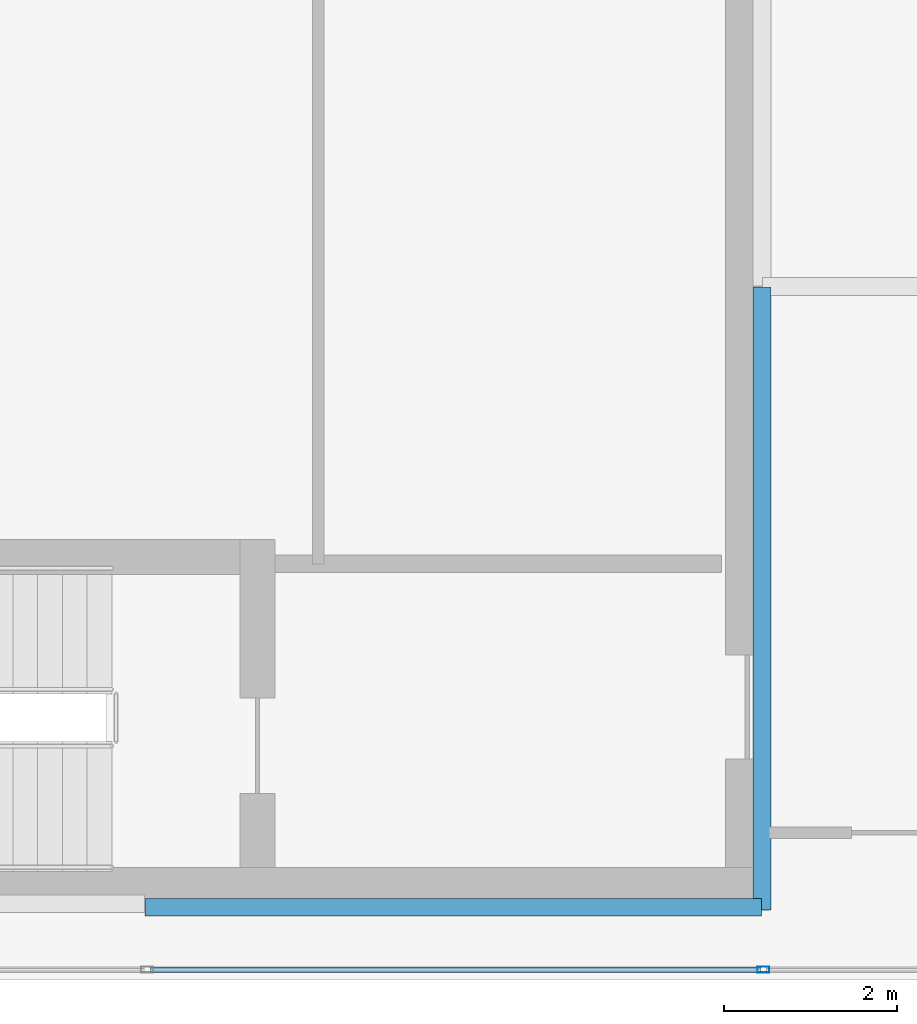
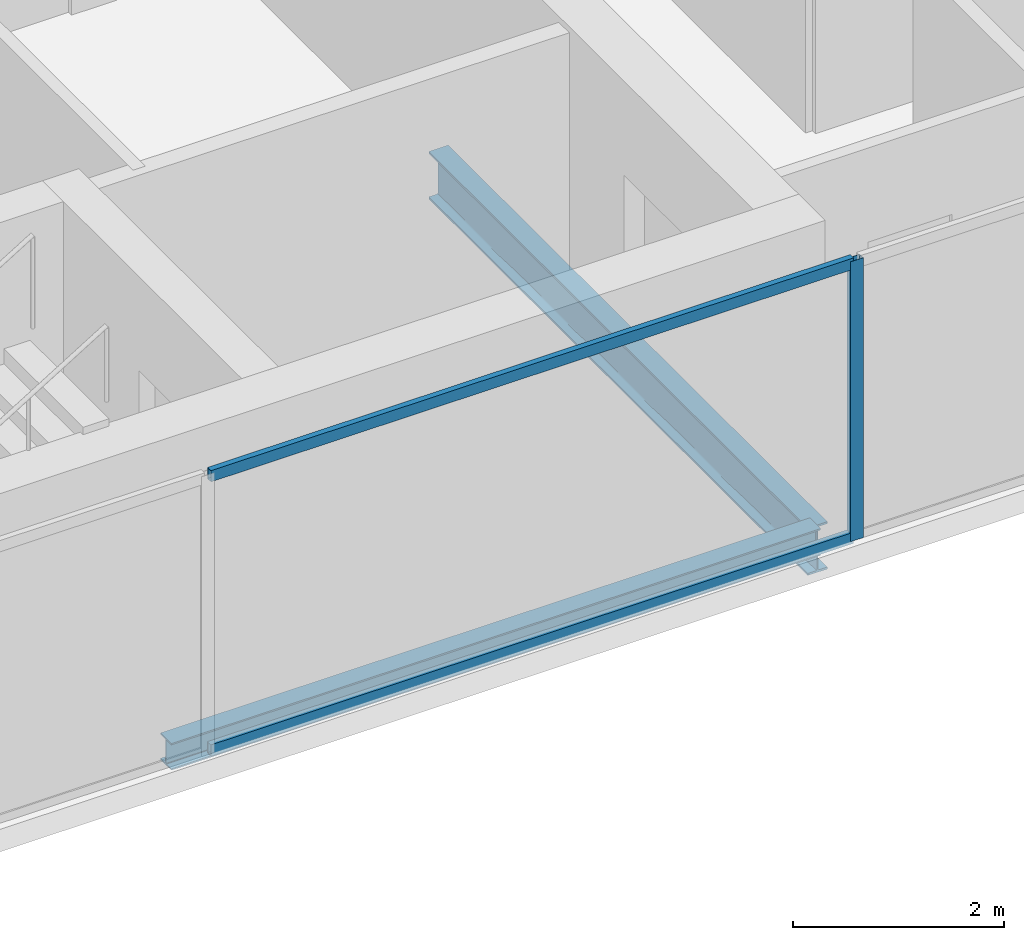
# One storey, part 3 of 23: 3 members, 2 beams, 1 element without a shape of its own.
"""IFC4 building model written with IfcOpenShell, lengths in metres."""

from ifc_helpers import new_model, si_unit, direction, frame, origin, origin_2d, place, context, subcontext, project, spatial, hollow_rectangle, i_section, extrude, material, material_profile, profile_set, type_object, element, aggregate, save


model = new_model("IFC4")

# Units and contexts
model_context = context("Model", 3, precision=1e-05, world=origin(), true_north=direction((0.0, 1.0)))
body_context = subcontext(model_context, "Body", "Model", "MODEL_VIEW")
ifc_project = project(units=[si_unit("LENGTHUNIT", "METRE"), si_unit("AREAUNIT", "SQUARE_METRE"), si_unit("VOLUMEUNIT", "CUBIC_METRE"), si_unit("PLANEANGLEUNIT", "RADIAN"), si_unit("MASSUNIT", "GRAM", prefix="KILO")], contexts=[model_context])

# Site, building, storey
site_placement = place(None, origin())
site = spatial("IfcSite", under=ifc_project, at=site_placement, CompositionType="ELEMENT")
building_placement = place(site_placement, origin())
building = spatial("IfcBuilding", under=site, at=building_placement, Name="Cobrela Telecom Tower", CompositionType="ELEMENT")
storey_placement = place(building_placement, frame((0.0, 0.0, 286.64990234375)))
storey = spatial("IfcBuildingStorey", under=building, at=storey_placement, Name="L75", CompositionType="ELEMENT", Elevation=286.64990234375)

# Beams
ifc_material_1 = material(Name="Steel ASTM A992 Grade 50", Category="steel")
ifc_material_profile_1 = material_profile(ifc_material_1, i_section(OverallWidth=0.212890625, OverallDepth=0.549072265625, WebThickness=0.0146484375, FlangeThickness=0.023681640625, FilletRadius=0.013916015625, at=origin_2d()), Name="W21X93")
ifc_profile_set_1 = profile_set([ifc_material_profile_1], Name="Steel ASTM A992 Grade 50")
beam_type_1 = type_object("IfcBeamType", Name="BM-GIRD-08", PredefinedType="USERDEFINED", material=ifc_profile_set_1)
beam_1_placement = place(storey_placement, frame((14.320068359375, 7.205078125, -0.534423828125), z_axis=(0.0, 1.0, 0.0), x_axis=(-1.0, 0.0, 0.0)))
element("IfcBeam", 1, at=beam_1_placement, inside=storey, type_object=beam_type_1, Name="L75 Primary Girder Y21", ObjectType="GIRDER", PredefinedType="USERDEFINED", context=body_context, shape_type="SweptSolid", body=[
    extrude(i_section(OverallWidth=0.212890625, OverallDepth=0.549072265625, WebThickness=0.0146484375, FlangeThickness=0.023681640625, FilletRadius=0.013916015625, at=origin_2d()), origin(), (0.0, 0.0, 1.0), 7.18994140625),
])
ifc_material_profile_2 = material_profile(ifc_material_1, i_section(OverallWidth=0.205078125, OverallDepth=0.31005859375, WebThickness=0.009521484375, FlangeThickness=0.016357421875, FilletRadius=0.010986328125, at=origin_2d()), Name="W12X50")
ifc_profile_set_2 = profile_set([ifc_material_profile_2], Name="Steel ASTM A992 Grade 50")
beam_type_2 = type_object("IfcBeamType", Name="BM-SPAND-07", PredefinedType="SPANDREL", material=ifc_profile_set_2)
beam_2_placement = place(storey_placement, frame((7.205078125, 7.239990234375, -0.414794921875), z_axis=(1.0, 0.0, 0.0), x_axis=(0.0, 1.0, 0.0)))
element("IfcBeam", 2, at=beam_2_placement, inside=storey, type_object=beam_type_2, Name="L75 Perimeter Spandrel X02", PredefinedType="SPANDREL", context=body_context, shape_type="SweptSolid", body=[
    extrude(i_section(OverallWidth=0.205078125, OverallDepth=0.31005859375, WebThickness=0.009521484375, FlangeThickness=0.016357421875, FilletRadius=0.010986328125, at=origin_2d()), origin(), (0.0, 0.0, 1.0), 7.10986328125),
])

# Curtain wall, members
ifc_material_2 = material(Name="Anodized Bronze Aluminium 6063-T6", Category="aluminium")
curtain_wall_type = type_object("IfcCurtainWallType", Name="CW-SYS-OFF-HI", PredefinedType="USERDEFINED", material=ifc_material_2)
curtain_wall_placement = place(storey_placement, origin())
curtain_wall = element("IfcCurtainWall", 3, at=curtain_wall_placement, inside=storey, type_object=curtain_wall_type, Name="L75 Unitised Bronze Curtain Wall 15", ObjectType="UNITISED CURTAIN WALL", PredefinedType="USERDEFINED")
ifc_material_profile_3 = material_profile(ifc_material_2, hollow_rectangle(XDim=0.070068359375, YDim=0.139892578125, WallThickness=0.00390625, at=origin_2d()), Name="ALU 70x140x4")
ifc_profile_set_3 = profile_set([ifc_material_profile_3], Name="Anodized Bronze Aluminium 6063-T6")
member_type_1 = type_object("IfcMemberType", Name="CW-SYS-OFF-HI-MUL", PredefinedType="MULLION", material=ifc_profile_set_3)
member_1_placement = place(storey_placement, frame((14.336669921875, 6.52001953125, 0.0), z_axis=(0.0, 0.0, 1.0), x_axis=(0.0, -1.0, 0.0)))
member_1 = element("IfcMember", 4, at=member_1_placement, type_object=member_type_1, Name="CW-OFF-HI mullion 5", PredefinedType="MULLION", context=body_context, shape_type="SweptSolid", body=[
    extrude(hollow_rectangle(XDim=0.070068359375, YDim=0.139892578125, WallThickness=0.00390625, at=origin_2d()), origin(), (0.0, 0.0, 1.0), 3.239990234375),
])
ifc_material_profile_4 = material_profile(ifc_material_2, hollow_rectangle(XDim=0.06494140625, YDim=0.1298828125, WallThickness=0.00390625, at=origin_2d()), Name="ALU 65x130x4")
ifc_profile_set_4 = profile_set([ifc_material_profile_4], Name="Anodized Bronze Aluminium 6063-T6")
member_type_2 = type_object("IfcMemberType", Name="CW-SYS-OFF-HI-TRN", PredefinedType="USERDEFINED", material=ifc_profile_set_4)
member_2_placement = place(storey_placement, frame((14.3017578125, 6.52001953125, 0.03271484375), z_axis=(-1.0, 0.0, 0.0), x_axis=(0.0, -1.0, 0.0)))
member_2 = element("IfcMember", 5, at=member_2_placement, type_object=member_type_2, Name="CW-OFF-HI transom 5.1", ObjectType="TRANSOM", PredefinedType="USERDEFINED", context=body_context, shape_type="SweptSolid", body=[
    extrude(hollow_rectangle(XDim=0.06494140625, YDim=0.1298828125, WallThickness=0.00390625, at=origin_2d()), origin(), (0.0, 0.0, 1.0), 7.038330078125),
])
member_3_placement = place(storey_placement, frame((14.3017578125, 6.52001953125, 3.20751953125), z_axis=(-1.0, 0.0, 0.0), x_axis=(0.0, -1.0, 0.0)))
member_3 = element("IfcMember", 6, at=member_3_placement, type_object=member_type_2, Name="CW-OFF-HI transom 5.2", ObjectType="TRANSOM", PredefinedType="USERDEFINED", context=body_context, shape_type="SweptSolid", body=[
    extrude(hollow_rectangle(XDim=0.06494140625, YDim=0.1298828125, WallThickness=0.00390625, at=origin_2d()), origin(), (0.0, 0.0, 1.0), 7.038330078125),
])
aggregate(curtain_wall, [member_1, member_2, member_3])

save(model, "model.ifc")
